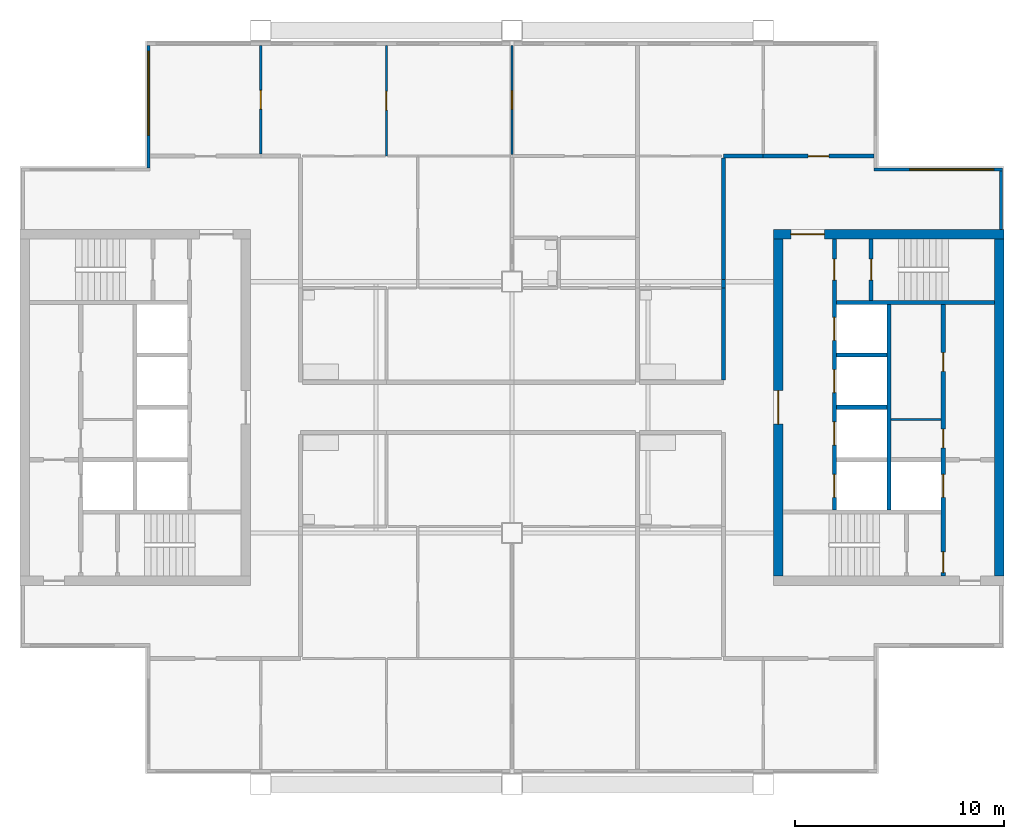
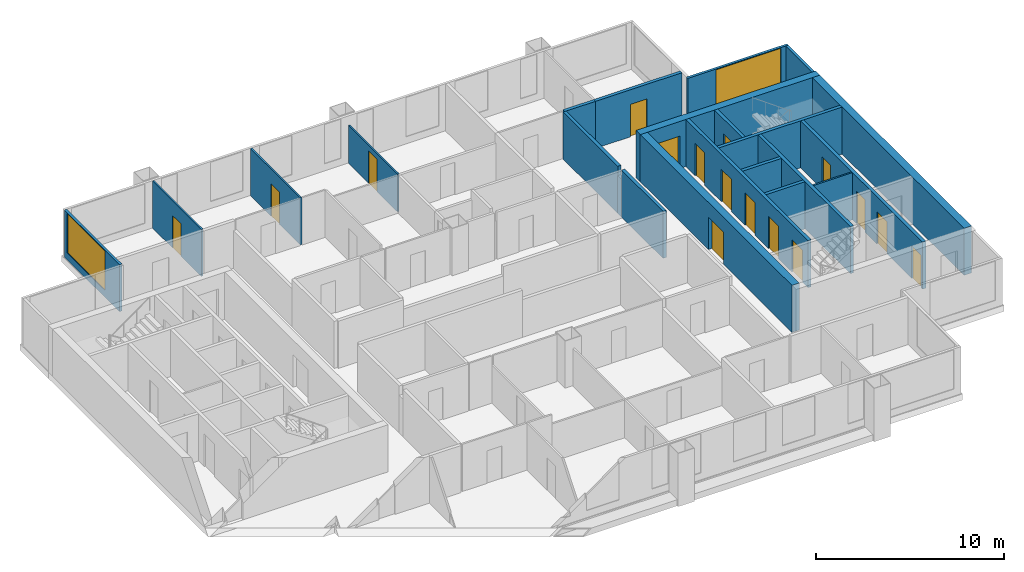
# One storey, part 5 of 8: 22 walls, 16 doors, 2 windows, 18 openings.
"""IFC4 building model written with IfcOpenShell, lengths in metres."""

import ifcopenshell
import ifcopenshell.guid

model = None  # the IFC model being written
_history = None  # IfcOwnerHistory: only IFC2X3 demands one
_inside = {}  # id of a spatial element -> (the spatial element, [elements in it])
_under = {}  # id of a project, library or spatial element -> (it, [spatial elements below it])
_declared = {}  # id of a project -> (the project, [libraries it declares])
_typed = {}  # id of a type object -> (the type object, [elements of that type])
_made_of = {}  # id of a material, layer set ... -> (it, [elements and type objects made of it])


def new_model(schema):
    """Start an empty IFC model of exactly this schema.

    Asked for "IFC4X3", IfcOpenShell would pick the latest addendum, in which some entities
    have other attributes; the version numbers below select the first issue.
    IFC2X3 requires an IfcOwnerHistory on every rooted entity: one is made here for all.
    """
    global model, _history
    if schema == "IFC4X3":
        model = ifcopenshell.file(schema_version=(4, 3, 0, 0))
    else:
        model = ifcopenshell.file(schema=schema)
    _inside.clear()
    _under.clear()
    _declared.clear()
    _typed.clear()
    _made_of.clear()
    _history = None
    if model.schema == "IFC2X3":
        org = make("IfcOrganization", Name="unknown")
        user = make(
            "IfcPersonAndOrganization",
            ThePerson=make("IfcPerson", FamilyName="unknown"),
            TheOrganization=org,
        )
        app = make(
            "IfcApplication",
            ApplicationDeveloper=org,
            Version="unknown",
            ApplicationFullName="unknown",
            ApplicationIdentifier="unknown",
        )
        _history = make(
            "IfcOwnerHistory",
            OwningUser=user,
            OwningApplication=app,
            ChangeAction="ADDED",
            CreationDate=0,
        )
    return model


def make(cls, **values):
    """One entity of the class cls with the attributes given. An attribute that is None is left unset."""
    return model.create_entity(
        cls, **{name: value for name, value in values.items() if value is not None}
    )


def rooted(cls, **values):
    """An entity with a GlobalId (a new one), such as an element, a storey or a relation."""
    return make(cls, GlobalId=ifcopenshell.guid.new(), OwnerHistory=_history, **values)


def si_unit(unit_type, name, prefix=None):
    """IfcSIUnit, for example si_unit("LENGTHUNIT", "METRE", prefix="MILLI")."""
    return make("IfcSIUnit", UnitType=unit_type, Prefix=prefix, Name=name)


def assignment(units):
    """IfcUnitAssignment: the units of a project."""
    return None if units is None else make("IfcUnitAssignment", Units=units)


def point(xyz):
    """IfcCartesianPoint."""
    return None if xyz is None else make("IfcCartesianPoint", Coordinates=xyz)


def direction(xyz):
    """IfcDirection."""
    return None if xyz is None else make("IfcDirection", DirectionRatios=xyz)


def frame(location, z_axis=None, x_axis=None):
    """IfcAxis2Placement3D, a coordinate frame: its origin and axes. An axis left out is left unset."""
    return make(
        "IfcAxis2Placement3D",
        Location=point(location),
        Axis=direction(z_axis),
        RefDirection=direction(x_axis),
    )


def frame_2d(location, x_axis=None):
    """IfcAxis2Placement2D, a coordinate frame in the plane: its origin and x axis."""
    return make(
        "IfcAxis2Placement2D", Location=point(location), RefDirection=direction(x_axis)
    )


def origin():
    """The frame at (0, 0, 0) with its axes left unset."""
    return frame((0.0, 0.0, 0.0))


def place(relative_to, where):
    """IfcLocalPlacement: puts the frame where relative to a parent placement (None: the world)."""
    return make(
        "IfcLocalPlacement", PlacementRelTo=relative_to, RelativePlacement=where
    )


def context(
    kind, dimensions, precision=None, world=None, true_north=None, identifier=None
):
    """IfcGeometricRepresentationContext, for example the 3D "Model" context."""
    return make(
        "IfcGeometricRepresentationContext",
        ContextIdentifier=identifier,
        ContextType=kind,
        CoordinateSpaceDimension=dimensions,
        Precision=precision,
        WorldCoordinateSystem=world,
        TrueNorth=true_north,
    )


def subcontext(parent, identifier, kind, view, scale=None):
    """IfcGeometricRepresentationSubContext, for example "Body" below "Model"."""
    return make(
        "IfcGeometricRepresentationSubContext",
        ContextIdentifier=identifier,
        ContextType=kind,
        ParentContext=parent,
        TargetScale=scale,
        TargetView=view,
    )


def project(units=None, contexts=None):
    """IfcProject with its units and contexts."""
    return rooted(
        "IfcProject",
        Name="project",
        RepresentationContexts=contexts,
        UnitsInContext=assignment(units),
    )


def spatial(cls, under=None, at=None, **own):
    """A site, building, storey or space (cls), placed at a placement, below another one or the project."""
    s = rooted(cls, ObjectPlacement=at, **own)
    if under is not None:
        _under.setdefault(under.id(), (under, []))[1].append(s)
    return s


def profile(cls, at=None, kind="AREA", **sizes):
    """A parametric profile (cls). Its sizes go by their IFC names, for example OverallWidth=200.0."""
    return make(cls, ProfileType=kind, Position=at, **sizes)


def rectangle(**sizes):
    """IfcRectangleProfileDef."""
    return profile("IfcRectangleProfileDef", **sizes)


def extrude(swept, where, along, depth):
    """IfcExtrudedAreaSolid: the profile swept, set in the frame where, extruded along a direction by depth."""
    return make(
        "IfcExtrudedAreaSolid",
        SweptArea=swept,
        Position=where,
        ExtrudedDirection=direction(along),
        Depth=depth,
    )


def shape(context_of_items, identifier, shape_type, items):
    """IfcShapeRepresentation: the items that make up one representation, for example the "Body"."""
    return make(
        "IfcShapeRepresentation",
        ContextOfItems=context_of_items,
        RepresentationIdentifier=identifier,
        RepresentationType=shape_type,
        Items=items,
    )


def material(Name=None, Category=None):
    """IfcMaterial."""
    return make("IfcMaterial", Name=Name, Category=Category)


def layer(
    of_material, thickness, ventilated=None, Name=None, Category=None, Priority=None
):
    """IfcMaterialLayer: one layer of a wall or slab, of a material (None: an air gap)."""
    return make(
        "IfcMaterialLayer",
        Material=of_material,
        LayerThickness=thickness,
        IsVentilated=ventilated,
        Name=Name,
        Category=Category,
        Priority=Priority,
    )


def layer_set(layers, Name=None):
    """IfcMaterialLayerSet."""
    return make("IfcMaterialLayerSet", MaterialLayers=layers, LayerSetName=Name)


def made_of(thing, what):
    """Note that an element or type object is made of a material, layer set ...; save() writes the relation."""
    if what is not None:
        _made_of.setdefault(what.id(), (what, []))[1].append(thing)
    return thing


def type_object(cls, material=None, **own):
    """A type object (cls), such as IfcWallType, which elements share."""
    return made_of(rooted(cls, **own), material)


def element(
    cls,
    number,
    at=None,
    inside=None,
    cuts=None,
    type_object=None,
    material=None,
    context=None,
    identifier="Body",
    shape_type=None,
    held_by="IfcProductDefinitionShape",
    body=None,
    shapes=None,
    **own,
):
    """One element of the class cls, such as IfcWall. Its Tag is "e" and its number.

    at: its placement. inside: the storey or other place that contains it. cuts: it is an
    opening in that element (IfcRelVoidsElement). A single representation is given by context,
    identifier, shape_type and body (its items); several are given by shapes. held_by: the class
    of the entity that holds the representations. save() writes the other relations.
    """
    e = rooted(cls, Tag="e%d" % number, ObjectPlacement=at, **own)
    if body is not None:
        shapes = [shape(context, identifier, shape_type, body)]
    if shapes is not None:
        e.Representation = make(held_by, Representations=shapes)
    if inside is not None:
        _inside.setdefault(inside.id(), (inside, []))[1].append(e)
    if cuts is not None:
        rooted(
            "IfcRelVoidsElement", RelatingBuildingElement=cuts, RelatedOpeningElement=e
        )
    if type_object is not None:
        _typed.setdefault(type_object.id(), (type_object, []))[1].append(e)
    return made_of(e, material)


def fill(opening, filler):
    """IfcRelFillsElement: the door or window that sits in an opening."""
    return rooted(
        "IfcRelFillsElement",
        RelatingOpeningElement=opening,
        RelatedBuildingElement=filler,
    )


def aggregate(whole, parts):
    """IfcRelAggregates: a whole, such as a stair, and the parts it consists of."""
    return rooted("IfcRelAggregates", RelatingObject=whole, RelatedObjects=parts)


def save(model, path):
    """Write the relations noted so far, then the file.

    IfcRelAggregates (storeys below a building ...), IfcRelContainedInSpatialStructure (elements
    in a storey), IfcRelDefinesByType, IfcRelAssociatesMaterial and IfcRelDeclares: one each for
    every whole, place, type object, material and project.
    """
    for whole, parts in _under.values():
        aggregate(whole, parts)
    for where, things in _inside.values():
        rooted(
            "IfcRelContainedInSpatialStructure",
            RelatedElements=things,
            RelatingStructure=where,
        )
    for kind, things in _typed.values():
        rooted("IfcRelDefinesByType", RelatedObjects=things, RelatingType=kind)
    for what, things in _made_of.values():
        rooted("IfcRelAssociatesMaterial", RelatedObjects=things, RelatingMaterial=what)
    for by, libraries in _declared.values():
        rooted("IfcRelDeclares", RelatingContext=by, RelatedDefinitions=libraries)
    model.write(path)


model = new_model("IFC4")

# Units and contexts
model_context = context("Model", 3, precision=1e-05, world=origin(), true_north=direction((0.0, 1.0)))
body_context = subcontext(model_context, "Body", "Model", "MODEL_VIEW")
ifc_project = project(units=[si_unit("LENGTHUNIT", "METRE"), si_unit("AREAUNIT", "SQUARE_METRE"), si_unit("VOLUMEUNIT", "CUBIC_METRE"), si_unit("PLANEANGLEUNIT", "RADIAN"), si_unit("MASSUNIT", "GRAM", prefix="KILO")], contexts=[model_context])

# Site, building, storey
site_placement = place(None, origin())
site = spatial("IfcSite", under=ifc_project, at=site_placement, CompositionType="ELEMENT")
building_placement = place(site_placement, origin())
building = spatial("IfcBuilding", under=site, at=building_placement, Name="Kitamizu Gate Tower and Museum", CompositionType="ELEMENT")
storey_placement = place(building_placement, frame((0.0, 0.0, 262.800048828125)))
storey = spatial("IfcBuildingStorey", under=building, at=storey_placement, Name="L71", CompositionType="ELEMENT", Elevation=262.800048828125)

# Wall, opening, door
ifc_material_1 = material(Name="Concrete Fc42", Category="concrete")
ifc_layer_1 = layer(ifc_material_1, 0.449951171875)
ifc_layer_set_1 = layer_set([ifc_layer_1], Name="Concrete Fc42")
wall_type_1 = type_object("IfcWallType", Name="Core wall 450 EI 90", PredefinedType="SHEAR", material=ifc_layer_set_1)
wall_1_placement = place(storey_placement, frame((59.5, 38.27490234375, 0.0), z_axis=(0.0, 0.0, 1.0), x_axis=(-1.0, 0.0, 0.0)))
wall_1 = element("IfcWall", 1, at=wall_1_placement, inside=storey, type_object=wall_type_1, Name="Core wall EN", PredefinedType="SHEAR", context=body_context, shape_type="SweptSolid", body=[
    extrude(rectangle(XDim=11.0, YDim=0.449951171875, at=frame_2d((5.5, 0.0))), origin(), (0.0, 0.0, 1.0), 3.050048828125),
])
opening_1_placement = place(wall_1_placement, frame((8.574951171875, 0.0, 0.0)))
opening_1 = element("IfcOpeningElement", 2, at=opening_1_placement, cuts=wall_1, Name="Opening L71-045", PredefinedType="OPENING", context=body_context, shape_type="SweptSolid", body=[
    extrude(rectangle(XDim=1.60009765625, YDim=2.10009765625, at=frame_2d((0.800048828125, 1.050048828125))), frame((0.0, 0.23486328125, 0.0), z_axis=(0.0, -1.0, 0.0), x_axis=(1.0, 0.0, 0.0)), (0.0, 0.0, 1.0), 0.469970703125),
])
ifc_material_2 = material(Name="Timber door set", Category="wood")
door_type_1 = type_object("IfcDoorType", Name="Entrance door 1600", OperationType="DOUBLE_DOOR_SINGLE_SWING", PredefinedType="DOOR", material=ifc_material_2)
door_1_placement = place(opening_1_placement, origin())
door_1 = element("IfcDoor", 3, at=door_1_placement, inside=storey, type_object=door_type_1, Name="Lobby door L71-045", OperationType="DOUBLE_DOOR_SINGLE_SWING", OverallHeight=2.10009765625, OverallWidth=1.60009765625, PredefinedType="DOOR", context=body_context, shape_type="SweptSolid", body=[
    extrude(rectangle(XDim=1.60009765625, YDim=2.10009765625, at=frame_2d((0.800048828125, 1.050048828125))), frame((0.0, 0.02490234375, 0.0), z_axis=(0.0, -1.0, 0.0), x_axis=(1.0, 0.0, 0.0)), (0.0, 0.0, 1.0), 0.050048828125),
])
fill(opening_1, door_1)

# Wall
wall_2_placement = place(storey_placement, frame((59.27490234375, 21.949951171875, 0.0), z_axis=(0.0, 0.0, 1.0), x_axis=(0.0, 1.0, 0.0)))
element("IfcWall", 4, at=wall_2_placement, inside=storey, type_object=wall_type_1, Name="Core wall EOUT", PredefinedType="SHEAR", context=body_context, shape_type="SweptSolid", body=[
    extrude(rectangle(XDim=16.10009765625, YDim=0.449951171875, at=frame_2d((8.050048828125, 0.0))), origin(), (0.0, 0.0, 1.0), 3.050048828125),
])

# Wall, opening, door
wall_3_placement = place(storey_placement, frame((48.72509765625, 21.949951171875, 0.0), z_axis=(0.0, 0.0, 1.0), x_axis=(0.0, 1.0, 0.0)))
wall_3 = element("IfcWall", 5, at=wall_3_placement, inside=storey, type_object=wall_type_1, Name="Core wall EARC", PredefinedType="SHEAR", context=body_context, shape_type="SweptSolid", body=[
    extrude(rectangle(XDim=16.10009765625, YDim=0.449951171875, at=frame_2d((8.050048828125, 0.0))), origin(), (0.0, 0.0, 1.0), 3.050048828125),
])
opening_2_placement = place(wall_3_placement, frame((7.25, 0.0, 0.0)))
opening_2 = element("IfcOpeningElement", 6, at=opening_2_placement, cuts=wall_3, Name="Opening L71-046", PredefinedType="OPENING", context=body_context, shape_type="SweptSolid", body=[
    extrude(rectangle(XDim=1.60009765625, YDim=2.10009765625, at=frame_2d((0.800048828125, 1.050048828125))), frame((0.0, 0.23486328125, 0.0), z_axis=(0.0, -1.0, 0.0), x_axis=(1.0, 0.0, 0.0)), (0.0, 0.0, 1.0), 0.469970703125),
])
door_2_placement = place(opening_2_placement, origin())
door_2 = element("IfcDoor", 7, at=door_2_placement, inside=storey, type_object=door_type_1, Name="Lobby door L71-046", OperationType="DOUBLE_DOOR_SINGLE_SWING", OverallHeight=2.10009765625, OverallWidth=1.60009765625, PredefinedType="DOOR", context=body_context, shape_type="SweptSolid", body=[
    extrude(rectangle(XDim=1.60009765625, YDim=2.10009765625, at=frame_2d((0.800048828125, 1.050048828125))), frame((0.0, 0.02490234375, 0.0), z_axis=(0.0, -1.0, 0.0), x_axis=(1.0, 0.0, 0.0)), (0.0, 0.0, 1.0), 0.050048828125),
])
fill(opening_2, door_2)

# Wall
ifc_material_3 = material(Name="Gypsum board on galvanised stud")
ifc_layer_2 = layer(ifc_material_3, 0.10009765625)
ifc_layer_set_2 = layer_set([ifc_layer_2], Name="Gypsum board on galvanised stud")
wall_type_2 = type_object("IfcWallType", Name="Partition 100", PredefinedType="PARTITIONING", material=ifc_layer_set_2)
wall_4_placement = place(storey_placement, frame((56.5, 29.425048828125, 0.0), z_axis=(0.0, 0.0, 1.0), x_axis=(-1.0, 0.0, 0.0)))
element("IfcWall", 8, at=wall_4_placement, inside=storey, type_object=wall_type_2, Name="Partition EPF1", PredefinedType="PARTITIONING", context=body_context, shape_type="SweptSolid", body=[
    extrude(rectangle(XDim=2.39990234375, YDim=0.10009765625, at=frame_2d((1.199951171875, 0.0))), origin(), (0.0, 0.0, 1.0), 3.050048828125),
])

# Wall, opening, door
ifc_material_4 = material(Name="Gypsum board on galvanised stud")
ifc_layer_3 = layer(ifc_material_4, 0.10009765625)
ifc_layer_set_3 = layer_set([ifc_layer_3], Name="Gypsum board on galvanised stud")
wall_type_3 = type_object("IfcWallType", Name="Partition 100 NOT RATED", PredefinedType="PARTITIONING", material=ifc_layer_set_3)
wall_5_placement = place(storey_placement, frame((24.0, 42.10009765625, 0.0), z_axis=(0.0, 0.0, 1.0), x_axis=(0.0, 1.0, 0.0)))
wall_5 = element("IfcWall", 9, at=wall_5_placement, inside=storey, type_object=wall_type_3, Name="Partition L71-026", PredefinedType="PARTITIONING", context=body_context, shape_type="SweptSolid", body=[
    extrude(rectangle(XDim=5.179931640625, YDim=0.10009765625, at=frame_2d((2.58984375, 0.0))), origin(), (0.0, 0.0, 1.0), 3.050048828125),
])
opening_3_placement = place(wall_5_placement, frame((2.139892578125, 0.0, 0.0)))
opening_3 = element("IfcOpeningElement", 10, at=opening_3_placement, cuts=wall_5, Name="Opening L71-011", PredefinedType="OPENING", context=body_context, shape_type="SweptSolid", body=[
    extrude(rectangle(XDim=0.89990234375, YDim=2.10009765625, at=frame_2d((0.449951171875, 1.050048828125))), frame((0.0, 0.06005859375, 0.0), z_axis=(0.0, -1.0, 0.0), x_axis=(1.0, 0.0, 0.0)), (0.0, 0.0, 1.0), 0.1201171875),
])
ifc_material_5 = material(Name="Timber door set", Category="wood")
door_type_2 = type_object("IfcDoorType", Name="Room door 900", OperationType="NOTDEFINED", PredefinedType="DOOR", material=ifc_material_5)
door_3_placement = place(opening_3_placement, frame((0.89990234375, 0.0, 0.0), x_axis=(-1.0, 0.0, 0.0)))
door_3 = element("IfcDoor", 11, at=door_3_placement, inside=storey, type_object=door_type_2, Name="Door L71-011", OperationType="SINGLE_SWING_LEFT", OverallHeight=2.10009765625, OverallWidth=0.89990234375, PredefinedType="DOOR", context=body_context, shape_type="SweptSolid", body=[
    extrude(rectangle(XDim=0.89990234375, YDim=2.10009765625, at=frame_2d((0.449951171875, 1.050048828125))), frame((0.0, 0.02490234375, 0.0), z_axis=(0.0, -1.0, 0.0), x_axis=(1.0, 0.0, 0.0)), (0.0, 0.0, 1.0), 0.050048828125),
])
fill(opening_3, door_3)

wall_6_placement = place(storey_placement, frame((30.0, 42.0, 0.0), z_axis=(0.0, 0.0, 1.0), x_axis=(0.0, 1.0, 0.0)))
wall_6 = element("IfcWall", 12, at=wall_6_placement, inside=storey, type_object=wall_type_3, Name="Partition L71-028", PredefinedType="PARTITIONING", context=body_context, shape_type="SweptSolid", body=[
    extrude(rectangle(XDim=5.280029296875, YDim=0.10009765625, at=frame_2d((2.64013671875, 0.0))), origin(), (0.0, 0.0, 1.0), 3.050048828125),
])
opening_4_placement = place(wall_6_placement, frame((2.18994140625, 0.0, 0.0)))
opening_4 = element("IfcOpeningElement", 13, at=opening_4_placement, cuts=wall_6, Name="Opening L71-012", PredefinedType="OPENING", context=body_context, shape_type="SweptSolid", body=[
    extrude(rectangle(XDim=0.89990234375, YDim=2.10009765625, at=frame_2d((0.449951171875, 1.050048828125))), frame((0.0, 0.06005859375, 0.0), z_axis=(0.0, -1.0, 0.0), x_axis=(1.0, 0.0, 0.0)), (0.0, 0.0, 1.0), 0.1201171875),
])
door_4_placement = place(opening_4_placement, origin())
door_4 = element("IfcDoor", 14, at=door_4_placement, inside=storey, type_object=door_type_2, Name="Door L71-012", OperationType="SINGLE_SWING_LEFT", OverallHeight=2.10009765625, OverallWidth=0.89990234375, PredefinedType="DOOR", context=body_context, shape_type="SweptSolid", body=[
    extrude(rectangle(XDim=0.89990234375, YDim=2.10009765625, at=frame_2d((0.449951171875, 1.050048828125))), frame((0.0, 0.02490234375, 0.0), z_axis=(0.0, -1.0, 0.0), x_axis=(1.0, 0.0, 0.0)), (0.0, 0.0, 1.0), 0.050048828125),
])
fill(opening_4, door_4)

wall_7_placement = place(storey_placement, frame((36.0, 42.074951171875, 0.0), z_axis=(0.0, 0.0, 1.0), x_axis=(0.0, 1.0, 0.0)))
wall_7 = element("IfcWall", 15, at=wall_7_placement, inside=storey, type_object=wall_type_3, Name="Partition L71-031", PredefinedType="PARTITIONING", context=body_context, shape_type="SweptSolid", body=[
    extrude(rectangle(XDim=5.205078125, YDim=0.10009765625, at=frame_2d((2.6025390625, 0.0))), origin(), (0.0, 0.0, 1.0), 2.449951171875),
])
opening_5_placement = place(wall_7_placement, frame((2.152587890625, 0.0, 0.0)))
opening_5 = element("IfcOpeningElement", 16, at=opening_5_placement, cuts=wall_7, Name="Opening L71-013", PredefinedType="OPENING", context=body_context, shape_type="SweptSolid", body=[
    extrude(rectangle(XDim=0.89990234375, YDim=2.10009765625, at=frame_2d((0.449951171875, 1.050048828125))), frame((0.0, 0.06005859375, 0.0), z_axis=(0.0, -1.0, 0.0), x_axis=(1.0, 0.0, 0.0)), (0.0, 0.0, 1.0), 0.1201171875),
])
door_5_placement = place(opening_5_placement, origin())
door_5 = element("IfcDoor", 17, at=door_5_placement, inside=storey, type_object=door_type_2, Name="Door L71-013", OperationType="SINGLE_SWING_RIGHT", OverallHeight=2.10009765625, OverallWidth=0.89990234375, PredefinedType="DOOR", context=body_context, shape_type="SweptSolid", body=[
    extrude(rectangle(XDim=0.89990234375, YDim=2.10009765625, at=frame_2d((0.449951171875, 1.050048828125))), frame((0.0, 0.02490234375, 0.0), z_axis=(0.0, -1.0, 0.0), x_axis=(1.0, 0.0, 0.0)), (0.0, 0.0, 1.0), 0.050048828125),
])
fill(opening_5, door_5)

# Wall
ifc_material_6 = material(Name="Gypsum board on galvanised stud")
ifc_layer_4 = layer(ifc_material_6, 0.199951171875)
ifc_layer_set_4 = layer_set([ifc_layer_4], Name="Gypsum board on galvanised stud")
wall_type_4 = type_object("IfcWallType", Name="Partition 200", PredefinedType="PARTITIONING", material=ifc_layer_set_4)
wall_8_placement = place(storey_placement, frame((46.10009765625, 42.0, 0.0), z_axis=(0.0, 0.0, 1.0), x_axis=(1.0, 0.0, 0.0)))
element("IfcWall", 18, at=wall_8_placement, inside=storey, type_object=wall_type_4, Name="Partition L71-069", PredefinedType="PARTITIONING", context=body_context, shape_type="SweptSolid", body=[
    extrude(rectangle(XDim=1.89990234375, YDim=0.199951171875, at=frame_2d((0.949951171875, 0.0))), origin(), (0.0, 0.0, 1.0), 3.050048828125),
])

# Wall, opening, door
wall_9_placement = place(storey_placement, frame((48.0, 42.0, 0.0), z_axis=(0.0, 0.0, 1.0), x_axis=(1.0, 0.0, 0.0)))
wall_9 = element("IfcWall", 19, at=wall_9_placement, inside=storey, type_object=wall_type_4, Name="Partition L71-070", PredefinedType="PARTITIONING", context=body_context, shape_type="SweptSolid", body=[
    extrude(rectangle(XDim=5.280029296875, YDim=0.199951171875, at=frame_2d((2.64013671875, 0.0))), origin(), (0.0, 0.0, 1.0), 3.050048828125),
])
opening_6_placement = place(wall_9_placement, frame((2.139892578125, 0.0, 0.0)))
opening_6 = element("IfcOpeningElement", 20, at=opening_6_placement, cuts=wall_9, Name="Opening L71-025", PredefinedType="OPENING", context=body_context, shape_type="SweptSolid", body=[
    extrude(rectangle(XDim=1.0, YDim=2.10009765625, at=frame_2d((0.5, 1.050048828125))), frame((0.0, 0.10986328125, 0.0), z_axis=(0.0, -1.0, 0.0), x_axis=(1.0, 0.0, 0.0)), (0.0, 0.0, 1.0), 0.219970703125),
])
ifc_material_7 = material(Name="Timber door set", Category="wood")
door_type_3 = type_object("IfcDoorType", Name="Flat entrance door 1000", OperationType="NOTDEFINED", PredefinedType="DOOR", material=ifc_material_7)
door_6_placement = place(opening_6_placement, origin())
door_6 = element("IfcDoor", 21, at=door_6_placement, inside=storey, type_object=door_type_3, Name="Flat entrance door L71-025", OperationType="SINGLE_SWING_RIGHT", OverallHeight=2.10009765625, OverallWidth=1.0, PredefinedType="DOOR", context=body_context, shape_type="SweptSolid", body=[
    extrude(rectangle(XDim=1.0, YDim=2.10009765625, at=frame_2d((0.5, 1.050048828125))), frame((0.0, 0.02490234375, 0.0), z_axis=(0.0, -1.0, 0.0), x_axis=(1.0, 0.0, 0.0)), (0.0, 0.0, 1.0), 0.050048828125),
])
fill(opening_6, door_6)

# Walls
wall_10_placement = place(storey_placement, frame((46.10009765625, 35.699951171875, 0.0), z_axis=(0.0, 0.0, 1.0), x_axis=(0.0, 1.0, 0.0)))
element("IfcWall", 22, at=wall_10_placement, inside=storey, type_object=wall_type_4, Name="Partition L71-072", PredefinedType="PARTITIONING", context=body_context, shape_type="SweptSolid", body=[
    extrude(rectangle(XDim=0.400146484375, YDim=0.199951171875, at=frame_2d((0.2001953125, 0.0))), origin(), (0.0, 0.0, 1.0), 2.449951171875),
])
wall_11_placement = place(storey_placement, frame((46.10009765625, 36.10009765625, 0.0), z_axis=(0.0, 0.0, 1.0), x_axis=(0.0, 1.0, 0.0)))
element("IfcWall", 23, at=wall_11_placement, inside=storey, type_object=wall_type_4, Name="Partition L71-073", PredefinedType="PARTITIONING", context=body_context, shape_type="SweptSolid", body=[
    extrude(rectangle(XDim=5.7998046875, YDim=0.199951171875, at=frame_2d((2.89990234375, 0.0))), origin(), (0.0, 0.0, 1.0), 3.050048828125),
])
wall_12_placement = place(storey_placement, frame((46.10009765625, 31.300048828125, 0.0), z_axis=(0.0, 0.0, 1.0), x_axis=(0.0, 1.0, 0.0)))
element("IfcWall", 24, at=wall_12_placement, inside=storey, type_object=wall_type_4, Name="Partition L71-075", PredefinedType="PARTITIONING", context=body_context, shape_type="SweptSolid", body=[
    extrude(rectangle(XDim=4.39990234375, YDim=0.199951171875, at=frame_2d((2.199951171875, 0.0))), origin(), (0.0, 0.0, 1.0), 3.050048828125),
])

# Wall, openings, doors
ifc_material_8 = material(Name="Concrete Fc42", Category="concrete")
ifc_layer_5 = layer(ifc_material_8, 0.199951171875)
ifc_layer_set_5 = layer_set([ifc_layer_5], Name="Concrete Fc42")
wall_type_5 = type_object("IfcWallType", Name="Shaft wall 200", PredefinedType="SOLIDWALL", material=ifc_layer_set_5)
wall_13_placement = place(storey_placement, frame((56.60009765625, 21.949951171875, 0.0), z_axis=(0.0, 0.0, 1.0), x_axis=(0.0, 1.0, 0.0)))
wall_13 = element("IfcWall", 25, at=wall_13_placement, inside=storey, type_object=wall_type_5, Name="Shaft wall EWEST", PredefinedType="SOLIDWALL", context=body_context, shape_type="SweptSolid", body=[
    extrude(rectangle(XDim=12.949951171875, YDim=0.199951171875, at=frame_2d((6.47509765625, 0.0))), origin(), (0.0, 0.0, 1.0), 3.050048828125),
])
opening_7_placement = place(wall_13_placement, frame((3.75, 0.0, 0.0)))
opening_7 = element("IfcOpeningElement", 26, at=opening_7_placement, cuts=wall_13, Name="Opening LD", PredefinedType="OPENING", context=body_context, shape_type="SweptSolid", body=[
    extrude(rectangle(XDim=1.10009765625, YDim=2.10009765625, at=frame_2d((0.550048828125, 1.050048828125))), frame((0.0, 0.10986328125, 0.0), z_axis=(0.0, -1.0, 0.0), x_axis=(1.0, 0.0, 0.0)), (0.0, 0.0, 1.0), 0.219970703125),
])
opening_8_placement = place(wall_13_placement, frame((0.14990234375, 0.0, 0.0)))
opening_8 = element("IfcOpeningElement", 27, at=opening_8_placement, cuts=wall_13, Name="Opening L71-040", PredefinedType="OPENING", context=body_context, shape_type="SweptSolid", body=[
    extrude(rectangle(XDim=1.0, YDim=2.10009765625, at=frame_2d((0.5, 1.050048828125))), frame((0.0, 0.10986328125, 0.0), z_axis=(0.0, -1.0, 0.0), x_axis=(1.0, 0.0, 0.0)), (0.0, 0.0, 1.0), 0.219970703125),
])
opening_9_placement = place(wall_13_placement, frame((6.112548828125, 0.0, 0.0)))
opening_9 = element("IfcOpeningElement", 28, at=opening_9_placement, cuts=wall_13, Name="Opening L71-047", PredefinedType="OPENING", context=body_context, shape_type="SweptSolid", body=[
    extrude(rectangle(XDim=0.89990234375, YDim=2.10009765625, at=frame_2d((0.449951171875, 1.050048828125))), frame((0.0, 0.10986328125, 0.0), z_axis=(0.0, -1.0, 0.0), x_axis=(1.0, 0.0, 0.0)), (0.0, 0.0, 1.0), 0.219970703125),
])
opening_10_placement = place(wall_13_placement, frame((9.762451171875, 0.0, 0.0)))
opening_10 = element("IfcOpeningElement", 29, at=opening_10_placement, cuts=wall_13, Name="Opening L71-048", PredefinedType="OPENING", context=body_context, shape_type="SweptSolid", body=[
    extrude(rectangle(XDim=0.89990234375, YDim=2.10009765625, at=frame_2d((0.449951171875, 1.050048828125))), frame((0.0, 0.10986328125, 0.0), z_axis=(0.0, -1.0, 0.0), x_axis=(1.0, 0.0, 0.0)), (0.0, 0.0, 1.0), 0.219970703125),
])
ifc_material_9 = material(Name="Hollow metal door set")
door_type_4 = type_object("IfcDoorType", Name="Fire door 1000", OperationType="NOTDEFINED", PredefinedType="DOOR", material=ifc_material_9)
door_7_placement = place(opening_8_placement, origin())
door_7 = element("IfcDoor", 30, at=door_7_placement, inside=storey, type_object=door_type_4, Name="Stair lobby door L71-040", OperationType="SINGLE_SWING_RIGHT", OverallHeight=2.10009765625, OverallWidth=1.0, PredefinedType="DOOR", context=body_context, shape_type="SweptSolid", body=[
    extrude(rectangle(XDim=1.0, YDim=2.10009765625, at=frame_2d((0.5, 1.050048828125))), frame((0.0, 0.02490234375, 0.0), z_axis=(0.0, -1.0, 0.0), x_axis=(1.0, 0.0, 0.0)), (0.0, 0.0, 1.0), 0.050048828125),
])
fill(opening_8, door_7)
ifc_material_10 = material(Name="Hollow metal door set")
door_type_5 = type_object("IfcDoorType", Name="Landing door 1100", OperationType="SLIDING_TO_LEFT", PredefinedType="DOOR", material=ifc_material_10)
door_8_placement = place(opening_7_placement, origin())
door_8 = element("IfcDoor", 31, at=door_8_placement, inside=storey, type_object=door_type_5, Name="Landing door EFF1", OperationType="SLIDING_TO_LEFT", OverallHeight=2.10009765625, OverallWidth=1.10009765625, PredefinedType="DOOR", context=body_context, shape_type="SweptSolid", body=[
    extrude(rectangle(XDim=1.10009765625, YDim=2.10009765625, at=frame_2d((0.550048828125, 1.050048828125))), frame((0.0, 0.02490234375, 0.0), z_axis=(0.0, -1.0, 0.0), x_axis=(1.0, 0.0, 0.0)), (0.0, 0.0, 1.0), 0.050048828125),
])
fill(opening_7, door_8)
ifc_material_11 = material(Name="Timber door set", Category="wood")
door_type_6 = type_object("IfcDoorType", Name="Service door 900", OperationType="NOTDEFINED", PredefinedType="DOOR", material=ifc_material_11)
door_9_placement = place(opening_9_placement, origin())
door_9 = element("IfcDoor", 32, at=door_9_placement, inside=storey, type_object=door_type_6, Name="Service door L71-047", OperationType="SINGLE_SWING_RIGHT", OverallHeight=2.10009765625, OverallWidth=0.89990234375, PredefinedType="DOOR", context=body_context, shape_type="SweptSolid", body=[
    extrude(rectangle(XDim=0.89990234375, YDim=2.10009765625, at=frame_2d((0.449951171875, 1.050048828125))), frame((0.0, 0.02490234375, 0.0), z_axis=(0.0, -1.0, 0.0), x_axis=(1.0, 0.0, 0.0)), (0.0, 0.0, 1.0), 0.050048828125),
])
fill(opening_9, door_9)
door_10_placement = place(opening_10_placement, origin())
door_10 = element("IfcDoor", 33, at=door_10_placement, inside=storey, type_object=door_type_6, Name="Service door L71-048", OperationType="SINGLE_SWING_LEFT", OverallHeight=2.10009765625, OverallWidth=0.89990234375, PredefinedType="DOOR", context=body_context, shape_type="SweptSolid", body=[
    extrude(rectangle(XDim=0.89990234375, YDim=2.10009765625, at=frame_2d((0.449951171875, 1.050048828125))), frame((0.0, 0.02490234375, 0.0), z_axis=(0.0, -1.0, 0.0), x_axis=(1.0, 0.0, 0.0)), (0.0, 0.0, 1.0), 0.050048828125),
])
fill(opening_10, door_10)

wall_14_placement = place(storey_placement, frame((51.39990234375, 25.10009765625, 0.0), z_axis=(0.0, 0.0, 1.0), x_axis=(0.0, 1.0, 0.0)))
wall_14 = element("IfcWall", 34, at=wall_14_placement, inside=storey, type_object=wall_type_5, Name="Shaft wall EEAST", PredefinedType="SOLIDWALL", context=body_context, shape_type="SweptSolid", body=[
    extrude(rectangle(XDim=12.949951171875, YDim=0.199951171875, at=frame_2d((6.47509765625, 0.0))), origin(), (0.0, 0.0, 1.0), 3.050048828125),
])
opening_11_placement = place(wall_14_placement, frame((0.60009765625, 0.0, 0.0)))
opening_11 = element("IfcOpeningElement", 35, at=opening_11_placement, cuts=wall_14, Name="Opening LD", PredefinedType="OPENING", context=body_context, shape_type="SweptSolid", body=[
    extrude(rectangle(XDim=1.10009765625, YDim=2.10009765625, at=frame_2d((0.550048828125, 1.050048828125))), frame((0.0, 0.10986328125, 0.0), z_axis=(0.0, -1.0, 0.0), x_axis=(1.0, 0.0, 0.0)), (0.0, 0.0, 1.0), 0.219970703125),
])
opening_12_placement = place(wall_14_placement, frame((3.10009765625, 0.0, 0.0)))
opening_12 = element("IfcOpeningElement", 36, at=opening_12_placement, cuts=wall_14, Name="Opening LD", PredefinedType="OPENING", context=body_context, shape_type="SweptSolid", body=[
    extrude(rectangle(XDim=1.10009765625, YDim=2.10009765625, at=frame_2d((0.550048828125, 1.050048828125))), frame((0.0, 0.10986328125, 0.0), z_axis=(0.0, -1.0, 0.0), x_axis=(1.0, 0.0, 0.0)), (0.0, 0.0, 1.0), 0.219970703125),
])
opening_13_placement = place(wall_14_placement, frame((5.60009765625, 0.0, 0.0)))
opening_13 = element("IfcOpeningElement", 37, at=opening_13_placement, cuts=wall_14, Name="Opening LD", PredefinedType="OPENING", context=body_context, shape_type="SweptSolid", body=[
    extrude(rectangle(XDim=1.10009765625, YDim=2.10009765625, at=frame_2d((0.550048828125, 1.050048828125))), frame((0.0, 0.10986328125, 0.0), z_axis=(0.0, -1.0, 0.0), x_axis=(1.0, 0.0, 0.0)), (0.0, 0.0, 1.0), 0.219970703125),
])
opening_14_placement = place(wall_14_placement, frame((8.10009765625, 0.0, 0.0)))
opening_14 = element("IfcOpeningElement", 38, at=opening_14_placement, cuts=wall_14, Name="Opening LD", PredefinedType="OPENING", context=body_context, shape_type="SweptSolid", body=[
    extrude(rectangle(XDim=1.10009765625, YDim=2.10009765625, at=frame_2d((0.550048828125, 1.050048828125))), frame((0.0, 0.10986328125, 0.0), z_axis=(0.0, -1.0, 0.0), x_axis=(1.0, 0.0, 0.0)), (0.0, 0.0, 1.0), 0.219970703125),
])
opening_15_placement = place(wall_14_placement, frame((10.97509765625, 0.0, 0.0)))
opening_15 = element("IfcOpeningElement", 39, at=opening_15_placement, cuts=wall_14, Name="Opening L71-041", PredefinedType="OPENING", context=body_context, shape_type="SweptSolid", body=[
    extrude(rectangle(XDim=1.0, YDim=2.10009765625, at=frame_2d((0.5, 1.050048828125))), frame((0.0, 0.10986328125, 0.0), z_axis=(0.0, -1.0, 0.0), x_axis=(1.0, 0.0, 0.0)), (0.0, 0.0, 1.0), 0.219970703125),
])
door_11_placement = place(opening_15_placement, frame((1.0, 0.0, 0.0), x_axis=(-1.0, 0.0, 0.0)))
door_11 = element("IfcDoor", 40, at=door_11_placement, inside=storey, type_object=door_type_4, Name="Stair lobby door L71-041", OperationType="SINGLE_SWING_LEFT", OverallHeight=2.10009765625, OverallWidth=1.0, PredefinedType="DOOR", context=body_context, shape_type="SweptSolid", body=[
    extrude(rectangle(XDim=1.0, YDim=2.10009765625, at=frame_2d((0.5, 1.050048828125))), frame((0.0, 0.02490234375, 0.0), z_axis=(0.0, -1.0, 0.0), x_axis=(1.0, 0.0, 0.0)), (0.0, 0.0, 1.0), 0.050048828125),
])
fill(opening_15, door_11)
door_12_placement = place(opening_11_placement, origin())
door_12 = element("IfcDoor", 41, at=door_12_placement, inside=storey, type_object=door_type_5, Name="Landing door ESV1", OperationType="SLIDING_TO_LEFT", OverallHeight=2.10009765625, OverallWidth=1.10009765625, PredefinedType="DOOR", context=body_context, shape_type="SweptSolid", body=[
    extrude(rectangle(XDim=1.10009765625, YDim=2.10009765625, at=frame_2d((0.550048828125, 1.050048828125))), frame((0.0, 0.02490234375, 0.0), z_axis=(0.0, -1.0, 0.0), x_axis=(1.0, 0.0, 0.0)), (0.0, 0.0, 1.0), 0.050048828125),
])
fill(opening_11, door_12)
door_13_placement = place(opening_12_placement, origin())
door_13 = element("IfcDoor", 42, at=door_13_placement, inside=storey, type_object=door_type_5, Name="Landing door EH1", OperationType="SLIDING_TO_LEFT", OverallHeight=2.10009765625, OverallWidth=1.10009765625, PredefinedType="DOOR", context=body_context, shape_type="SweptSolid", body=[
    extrude(rectangle(XDim=1.10009765625, YDim=2.10009765625, at=frame_2d((0.550048828125, 1.050048828125))), frame((0.0, 0.02490234375, 0.0), z_axis=(0.0, -1.0, 0.0), x_axis=(1.0, 0.0, 0.0)), (0.0, 0.0, 1.0), 0.050048828125),
])
fill(opening_12, door_13)
door_14_placement = place(opening_13_placement, origin())
door_14 = element("IfcDoor", 43, at=door_14_placement, inside=storey, type_object=door_type_5, Name="Landing door EH2", OperationType="SLIDING_TO_LEFT", OverallHeight=2.10009765625, OverallWidth=1.10009765625, PredefinedType="DOOR", context=body_context, shape_type="SweptSolid", body=[
    extrude(rectangle(XDim=1.10009765625, YDim=2.10009765625, at=frame_2d((0.550048828125, 1.050048828125))), frame((0.0, 0.02490234375, 0.0), z_axis=(0.0, -1.0, 0.0), x_axis=(1.0, 0.0, 0.0)), (0.0, 0.0, 1.0), 0.050048828125),
])
fill(opening_13, door_14)
door_15_placement = place(opening_14_placement, origin())
door_15 = element("IfcDoor", 44, at=door_15_placement, inside=storey, type_object=door_type_5, Name="Landing door EH3", OperationType="SLIDING_TO_LEFT", OverallHeight=2.10009765625, OverallWidth=1.10009765625, PredefinedType="DOOR", context=body_context, shape_type="SweptSolid", body=[
    extrude(rectangle(XDim=1.10009765625, YDim=2.10009765625, at=frame_2d((0.550048828125, 1.050048828125))), frame((0.0, 0.02490234375, 0.0), z_axis=(0.0, -1.0, 0.0), x_axis=(1.0, 0.0, 0.0)), (0.0, 0.0, 1.0), 0.050048828125),
])
fill(opening_14, door_15)

# Walls
wall_15_placement = place(storey_placement, frame((54.0, 25.10009765625, 0.0), z_axis=(0.0, 0.0, 1.0), x_axis=(0.0, 1.0, 0.0)))
element("IfcWall", 45, at=wall_15_placement, inside=storey, type_object=wall_type_5, Name="Shaft wall EMID", PredefinedType="SOLIDWALL", context=body_context, shape_type="SweptSolid", body=[
    extrude(rectangle(XDim=9.7998046875, YDim=0.199951171875, at=frame_2d((4.89990234375, 0.0))), origin(), (0.0, 0.0, 1.0), 3.050048828125),
])
wall_16_placement = place(storey_placement, frame((59.050048828125, 35.0, 0.0), z_axis=(0.0, 0.0, 1.0), x_axis=(-1.0, 0.0, 0.0)))
element("IfcWall", 46, at=wall_16_placement, inside=storey, type_object=wall_type_5, Name="Shaft wall ENB", PredefinedType="SOLIDWALL", context=body_context, shape_type="SweptSolid", body=[
    extrude(rectangle(XDim=7.550048828125, YDim=0.199951171875, at=frame_2d((3.77490234375, 0.0))), origin(), (0.0, 0.0, 1.0), 3.050048828125),
])

# Wall, opening, door
wall_17_placement = place(storey_placement, frame((53.14990234375, 35.10009765625, 0.0), z_axis=(0.0, 0.0, 1.0), x_axis=(0.0, 1.0, 0.0)))
wall_17 = element("IfcWall", 47, at=wall_17_placement, inside=storey, type_object=wall_type_5, Name="Shaft wall ENZ", PredefinedType="SOLIDWALL", context=body_context, shape_type="SweptSolid", body=[
    extrude(rectangle(XDim=2.949951171875, YDim=0.199951171875, at=frame_2d((1.47509765625, 0.0))), origin(), (0.0, 0.0, 1.0), 3.050048828125),
])
opening_16_placement = place(wall_17_placement, frame((0.97509765625, 0.0, 0.0)))
opening_16 = element("IfcOpeningElement", 48, at=opening_16_placement, cuts=wall_17, Name="Opening L71-042", PredefinedType="OPENING", context=body_context, shape_type="SweptSolid", body=[
    extrude(rectangle(XDim=1.0, YDim=2.10009765625, at=frame_2d((0.5, 1.050048828125))), frame((0.0, 0.10986328125, 0.0), z_axis=(0.0, -1.0, 0.0), x_axis=(1.0, 0.0, 0.0)), (0.0, 0.0, 1.0), 0.219970703125),
])
door_16_placement = place(opening_16_placement, frame((1.0, 0.0, 0.0), x_axis=(-1.0, 0.0, 0.0)))
door_16 = element("IfcDoor", 49, at=door_16_placement, inside=storey, type_object=door_type_4, Name="Stair door L71-042", OperationType="SINGLE_SWING_RIGHT", OverallHeight=2.10009765625, OverallWidth=1.0, PredefinedType="DOOR", context=body_context, shape_type="SweptSolid", body=[
    extrude(rectangle(XDim=1.0, YDim=2.10009765625, at=frame_2d((0.5, 1.050048828125))), frame((0.0, 0.02490234375, 0.0), z_axis=(0.0, -1.0, 0.0), x_axis=(1.0, 0.0, 0.0)), (0.0, 0.0, 1.0), 0.050048828125),
])
fill(opening_16, door_16)

# Walls
for number, where, z_axis, x_axis, name in (
    (50, (53.89990234375, 30.0, 0.0), (0.0, 0.0, 1.0), (-1.0, 0.0, 0.0), "Shaft wall EDVE1"),
    (51, (53.89990234375, 32.5, 0.0), (0.0, 0.0, 1.0), (-1.0, 0.0, 0.0), "Shaft wall EDVE2"),
):
    element("IfcWall", number, at=place(storey_placement, frame(where, z_axis=z_axis, x_axis=x_axis)), inside=storey, type_object=wall_type_5, Name=name, PredefinedType="SOLIDWALL", context=body_context, shape_type="SweptSolid", body=[
        extrude(rectangle(XDim=2.39990234375, YDim=0.199951171875, at=frame_2d((1.199951171875, 0.0))), origin(), (0.0, 0.0, 1.0), 3.050048828125),
    ])
ifc_material_12 = material(Name="Bronze anodised aluminium frame with insulated spandrel and tinted glass", Category="aluminium")
ifc_layer_6 = layer(ifc_material_12, 0.14990234375)
ifc_layer_set_6 = layer_set([ifc_layer_6], Name="Bronze anodised aluminium frame with insulated spandrel and tinted glass")
wall_type_6 = type_object("IfcWallType", Name="WINDOW WALL 150 BRONZE FRAME EI 30", PredefinedType="ELEMENTEDWALL", material=ifc_layer_set_6)
wall_18_placement = place(storey_placement, frame((59.364990234375, 38.5, 0.0), z_axis=(0.0, 0.0, 1.0), x_axis=(0.0, 1.0, 0.0)))
element("IfcWall", 52, at=wall_18_placement, inside=storey, type_object=wall_type_6, Name="Window wall east L71", PredefinedType="ELEMENTEDWALL", context=body_context, shape_type="SweptSolid", body=[
    extrude(rectangle(XDim=2.7900390625, YDim=0.14990234375, at=frame_2d((1.39501953125, 0.0))), origin(), (0.0, 0.0, 1.0), 3.050048828125),
])

# Wall, opening, window
wall_19_placement = place(storey_placement, frame((53.2900390625, 41.364990234375, 0.0), z_axis=(0.0, 0.0, 1.0), x_axis=(1.0, 0.0, 0.0)))
wall_19 = element("IfcWall", 53, at=wall_19_placement, inside=storey, type_object=wall_type_6, Name="Window wall north L71", PredefinedType="ELEMENTEDWALL", context=body_context, shape_type="SweptSolid", body=[
    extrude(rectangle(XDim=6.14990234375, YDim=0.14990234375, at=frame_2d((3.074951171875, 0.0))), origin(), (0.0, 0.0, 1.0), 3.050048828125),
])
opening_17_placement = place(wall_19_placement, frame((1.7099609375, 0.0, 0.449951171875)))
opening_17 = element("IfcOpeningElement", 54, at=opening_17_placement, cuts=wall_19, Name="Opening W16", PredefinedType="OPENING", context=body_context, shape_type="SweptSolid", body=[
    extrude(rectangle(XDim=4.0, YDim=2.550048828125, at=frame_2d((2.0, 1.27490234375))), frame((0.0, 0.0849609375, 0.0), z_axis=(0.0, -1.0, 0.0), x_axis=(1.0, 0.0, 0.0)), (0.0, 0.0, 1.0), 0.169921875),
])
ifc_material_13 = material(Name="Bronze anodised aluminium frame, tinted triple glazing", Category="aluminium")
window_type = type_object("IfcWindowType", Name="WINDOW 4000 x 2550 SILL 450", PartitioningType="SINGLE_PANEL", PredefinedType="WINDOW", material=ifc_material_13)
window_1_placement = place(opening_17_placement, origin())
window_1 = element("IfcWindow", 55, at=window_1_placement, inside=storey, type_object=window_type, Name="Window W16 L71", OverallHeight=2.550048828125, OverallWidth=4.0, PartitioningType="SINGLE_PANEL", PredefinedType="WINDOW", context=body_context, shape_type="SweptSolid", body=[
    extrude(rectangle(XDim=4.0, YDim=2.550048828125, at=frame_2d((2.0, 1.27490234375))), frame((0.0, 0.030029296875, 0.0), z_axis=(0.0, -1.0, 0.0), x_axis=(1.0, 0.0, 0.0)), (0.0, 0.0, 1.0), 0.06005859375),
])
fill(opening_17, window_1)

wall_20_placement = place(storey_placement, frame((18.635009765625, 41.43994140625, 0.0), z_axis=(0.0, 0.0, 1.0), x_axis=(0.0, 1.0, 0.0)))
wall_20 = element("IfcWall", 56, at=wall_20_placement, inside=storey, type_object=wall_type_6, Name="Window wall west L71", PredefinedType="ELEMENTEDWALL", context=body_context, shape_type="SweptSolid", body=[
    extrude(rectangle(XDim=5.85009765625, YDim=0.14990234375, at=frame_2d((2.925048828125, 0.0))), origin(), (0.0, 0.0, 1.0), 3.050048828125),
])
opening_18_placement = place(wall_20_placement, frame((1.56005859375, 0.0, 0.449951171875)))
opening_18 = element("IfcOpeningElement", 57, at=opening_18_placement, cuts=wall_20, Name="Opening W16", PredefinedType="OPENING", context=body_context, shape_type="SweptSolid", body=[
    extrude(rectangle(XDim=4.0, YDim=2.550048828125, at=frame_2d((2.0, 1.27490234375))), frame((0.0, 0.0849609375, 0.0), z_axis=(0.0, -1.0, 0.0), x_axis=(1.0, 0.0, 0.0)), (0.0, 0.0, 1.0), 0.169921875),
])
window_2_placement = place(opening_18_placement, origin())
window_2 = element("IfcWindow", 58, at=window_2_placement, inside=storey, type_object=window_type, Name="Window W16 L71", OverallHeight=2.550048828125, OverallWidth=4.0, PartitioningType="SINGLE_PANEL", PredefinedType="WINDOW", context=body_context, shape_type="SweptSolid", body=[
    extrude(rectangle(XDim=4.0, YDim=2.550048828125, at=frame_2d((2.0, 1.27490234375))), frame((0.0, 0.030029296875, 0.0), z_axis=(0.0, -1.0, 0.0), x_axis=(1.0, 0.0, 0.0)), (0.0, 0.0, 1.0), 0.06005859375),
])
fill(opening_18, window_2)

save(model, "model.ifc")
